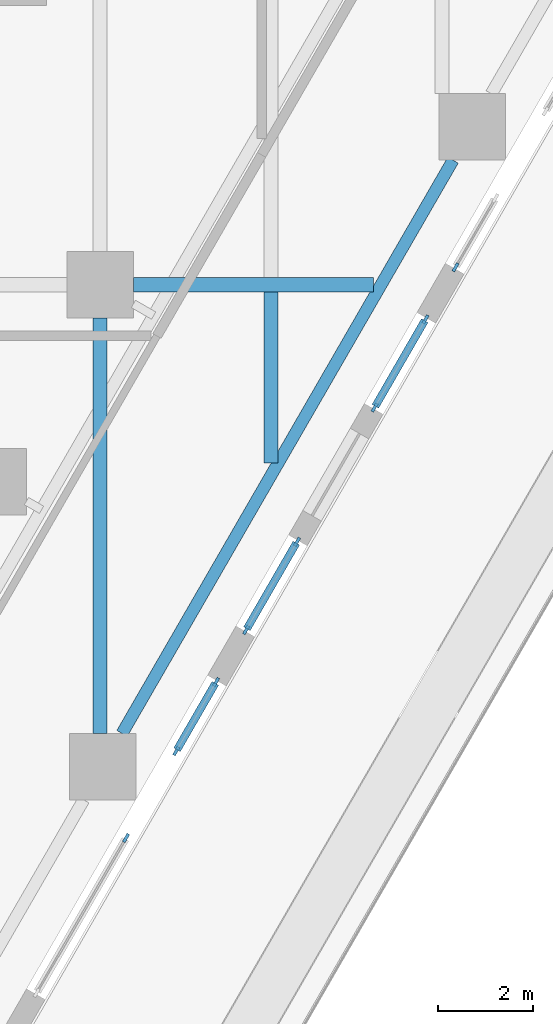
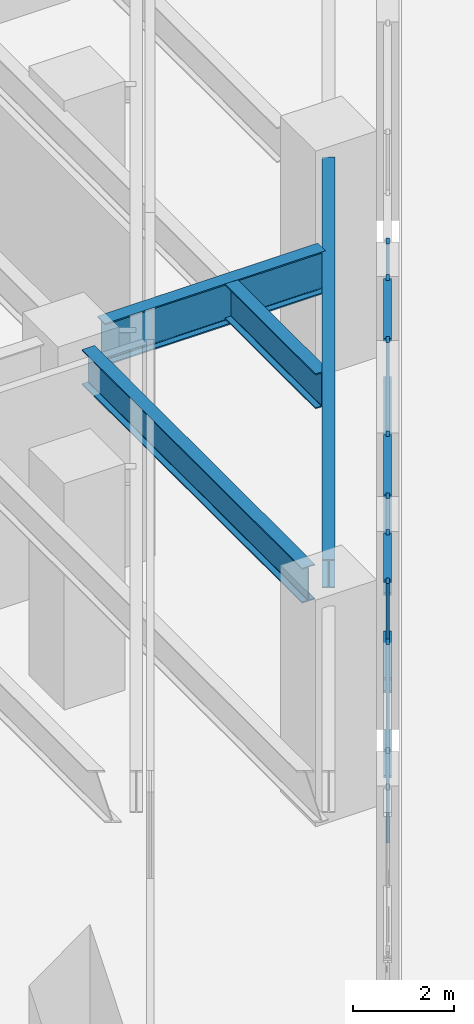
# One storey, part 8 of 30: 17 members, 4 beams, 5 elements without a shape of their own.
"""IFC4 building model written with IfcOpenShell, lengths in metres."""

from ifc_helpers import new_model, si_unit, direction, frame, origin, origin_2d, place, context, subcontext, project, spatial, rectangle, i_section, extrude, material, material_profile, profile_set, type_object, element, aggregate, save


model = new_model("IFC4")

# Units and contexts
model_context = context("Model", 3, precision=1e-05, world=origin(), true_north=direction((0.0, 1.0)))
body_context = subcontext(model_context, "Body", "Model", "MODEL_VIEW")
ifc_project = project(units=[si_unit("LENGTHUNIT", "METRE"), si_unit("AREAUNIT", "SQUARE_METRE"), si_unit("VOLUMEUNIT", "CUBIC_METRE"), si_unit("PLANEANGLEUNIT", "RADIAN"), si_unit("MASSUNIT", "GRAM", prefix="KILO")], contexts=[model_context])

# Site, building, storey
site_placement = place(None, origin())
site = spatial("IfcSite", under=ifc_project, at=site_placement, CompositionType="ELEMENT")
building_placement = place(site_placement, origin())
building = spatial("IfcBuilding", under=site, at=building_placement, Name="Aloe Facet Convention Tower", CompositionType="ELEMENT")
storey_placement = place(building_placement, frame((0.0, 0.0, 19.5)))
storey = spatial("IfcBuildingStorey", under=building, at=storey_placement, Name="L03", CompositionType="ELEMENT", Elevation=19.5)

# Curtain wall, member
ifc_material_1 = material(Name="Aluminium, anodised", Category="aluminium")
curtain_wall_type = type_object("IfcCurtainWallType", Name="EV-CW-HALL", PredefinedType="USERDEFINED", material=ifc_material_1)
curtain_wall_1_placement = place(storey_placement, origin())
curtain_wall_1 = element("IfcCurtainWall", 1, at=curtain_wall_1_placement, inside=storey, type_object=curtain_wall_type, Name="CW-L03-E08-1", ObjectType="UNITISED HALL GLAZING", PredefinedType="USERDEFINED")
ifc_material_2 = material(Name="Aluminium, anodised", Category="aluminium")
ifc_material_profile_1 = material_profile(ifc_material_2, rectangle(XDim=0.06494140625, YDim=0.199951171875, at=origin_2d()), Name="AL 65x200")
ifc_profile_set_1 = profile_set([ifc_material_profile_1], Name="Aluminium, anodised")
member_type_1 = type_object("IfcMemberType", Name="EV-MULL-HALL", PredefinedType="MULLION", material=ifc_profile_set_1)
member_1_placement = place(storey_placement, frame((98.545654296875, 87.34228515625, -0.25), z_axis=(0.0, 0.0, 1.0), x_axis=(-0.866025403767, 0.50000000003, 0.0)))
member_1 = element("IfcMember", 2, at=member_1_placement, type_object=member_type_1, Name="CW-L03-E08-1 mullion 2", PredefinedType="MULLION", context=body_context, shape_type="SweptSolid", body=[
    extrude(rectangle(XDim=0.06494140625, YDim=0.199951171875, at=origin_2d()), origin(), (0.0, 0.0, 1.0), 4.8125),
])
aggregate(curtain_wall_1, [member_1])

# Curtain wall, members
curtain_wall_2_placement = place(storey_placement, origin())
curtain_wall_2 = element("IfcCurtainWall", 3, at=curtain_wall_2_placement, inside=storey, type_object=curtain_wall_type, Name="CW-L03-E08-2", ObjectType="UNITISED HALL GLAZING", PredefinedType="USERDEFINED")
member_2_placement = place(storey_placement, frame((99.6025390625, 89.173095703125, -0.25), z_axis=(0.0, 0.0, 1.0), x_axis=(-0.866025403531, 0.500000000438, 0.0)))
member_2 = element("IfcMember", 4, at=member_2_placement, type_object=member_type_1, Name="CW-L03-E08-2 mullion 1", PredefinedType="MULLION", context=body_context, shape_type="SweptSolid", body=[
    extrude(rectangle(XDim=0.06494140625, YDim=0.199951171875, at=origin_2d()), origin(), (0.0, 0.0, 1.0), 4.8125),
])
member_3_placement = place(storey_placement, frame((100.4423828125, 90.6279296875, -0.25), z_axis=(0.0, 0.0, 1.0), x_axis=(-0.866025403531, 0.500000000438, 0.0)))
member_3 = element("IfcMember", 5, at=member_3_placement, type_object=member_type_1, Name="CW-L03-E08-2 mullion 2", PredefinedType="MULLION", context=body_context, shape_type="SweptSolid", body=[
    extrude(rectangle(XDim=0.06494140625, YDim=0.199951171875, at=origin_2d()), origin(), (0.0, 0.0, 1.0), 4.8125),
])

curtain_wall_3_placement = place(storey_placement, origin())
curtain_wall_3 = element("IfcCurtainWall", 6, at=curtain_wall_3_placement, inside=storey, type_object=curtain_wall_type, Name="CW-L03-E10A", ObjectType="UNITISED HALL GLAZING", PredefinedType="USERDEFINED")
member_4_placement = place(storey_placement, frame((101.074951171875, 91.723388671875, -0.25), z_axis=(0.0, 0.0, 1.0), x_axis=(-0.866025403767, 0.50000000003, 0.0)))
member_4 = element("IfcMember", 7, at=member_4_placement, type_object=member_type_1, Name="CW-L03-E10A mullion 1", PredefinedType="MULLION", context=body_context, shape_type="SweptSolid", body=[
    extrude(rectangle(XDim=0.06494140625, YDim=0.199951171875, at=origin_2d()), origin(), (0.0, 0.0, 1.0), 4.8125),
])
member_5_placement = place(storey_placement, frame((102.149169921875, 93.583984375, -0.25), z_axis=(0.0, 0.0, 1.0), x_axis=(-0.866025403767, 0.50000000003, 0.0)))
member_5 = element("IfcMember", 8, at=member_5_placement, type_object=member_type_1, Name="CW-L03-E10A mullion 2", PredefinedType="MULLION", context=body_context, shape_type="SweptSolid", body=[
    extrude(rectangle(XDim=0.06494140625, YDim=0.199951171875, at=origin_2d()), origin(), (0.0, 0.0, 1.0), 4.8125),
])

curtain_wall_4_placement = place(storey_placement, origin())
curtain_wall_4 = element("IfcCurtainWall", 9, at=curtain_wall_4_placement, inside=storey, type_object=curtain_wall_type, Name="CW-L03-E10B", ObjectType="UNITISED HALL GLAZING", PredefinedType="USERDEFINED")
member_6_placement = place(storey_placement, frame((103.78173828125, 96.41162109375, -0.25), z_axis=(0.0, 0.0, 1.0), x_axis=(-0.86602540388, 0.499999999834, 0.0)))
member_6 = element("IfcMember", 10, at=member_6_placement, type_object=member_type_1, Name="CW-L03-E10B mullion 1", PredefinedType="MULLION", context=body_context, shape_type="SweptSolid", body=[
    extrude(rectangle(XDim=0.06494140625, YDim=0.199951171875, at=origin_2d()), origin(), (0.0, 0.0, 1.0), 4.8125),
])
member_7_placement = place(storey_placement, frame((104.85595703125, 98.272216796875, -0.25), z_axis=(0.0, 0.0, 1.0), x_axis=(-0.86602540388, 0.499999999834, 0.0)))
member_7 = element("IfcMember", 11, at=member_7_placement, type_object=member_type_1, Name="CW-L03-E10B mullion 2", PredefinedType="MULLION", context=body_context, shape_type="SweptSolid", body=[
    extrude(rectangle(XDim=0.06494140625, YDim=0.199951171875, at=origin_2d()), origin(), (0.0, 0.0, 1.0), 4.8125),
])

# Curtain wall, member
curtain_wall_5_placement = place(storey_placement, origin())
curtain_wall_5 = element("IfcCurtainWall", 12, at=curtain_wall_5_placement, inside=storey, type_object=curtain_wall_type, Name="CW-L03-E12-1", ObjectType="UNITISED HALL GLAZING", PredefinedType="USERDEFINED")
member_8_placement = place(storey_placement, frame((105.48828125, 99.36767578125, -0.25), z_axis=(0.0, 0.0, 1.0), x_axis=(-0.866025403846, 0.499999999894, 0.0)))
member_8 = element("IfcMember", 13, at=member_8_placement, type_object=member_type_1, Name="CW-L03-E12-1 mullion 1", PredefinedType="MULLION", context=body_context, shape_type="SweptSolid", body=[
    extrude(rectangle(XDim=0.06494140625, YDim=0.199951171875, at=origin_2d()), origin(), (0.0, 0.0, 1.0), 4.8125),
])
aggregate(curtain_wall_5, [member_8])

# Member
ifc_material_3 = material(Name="Aluminium, anodised", Category="aluminium")
ifc_material_profile_2 = material_profile(ifc_material_3, rectangle(XDim=0.159912109375, YDim=0.06494140625, at=origin_2d()), Name="AL 160x65")
ifc_profile_set_2 = profile_set([ifc_material_profile_2], Name="Aluminium, anodised")
member_type_2 = type_object("IfcMemberType", Name="EV-TRAN-HALL", PredefinedType="USERDEFINED", material=ifc_profile_set_2)
member_9_placement = place(storey_placement, frame((99.618896484375, 89.201416015625, -0.217529296875), z_axis=(0.49999293077, 0.866029485168, 0.0), x_axis=(-0.866029485168, 0.49999293077, 0.0)))
member_9 = element("IfcMember", 14, at=member_9_placement, type_object=member_type_2, Name="CW-L03-E08-2 transom 1.1", ObjectType="TRANSOM", PredefinedType="USERDEFINED", context=body_context, shape_type="SweptSolid", body=[
    extrude(rectangle(XDim=0.159912109375, YDim=0.06494140625, at=origin_2d()), origin(), (0.0, 0.0, 1.0), 1.61474609375),
])

member_10_placement = place(storey_placement, frame((99.618896484375, 89.201416015625, 2.15625), z_axis=(0.49999293077, 0.866029485168, 0.0), x_axis=(-0.866029485168, 0.49999293077, 0.0)))
member_10 = element("IfcMember", 15, at=member_10_placement, type_object=member_type_2, Name="CW-L03-E08-2 transom 1.2", ObjectType="TRANSOM", PredefinedType="USERDEFINED", context=body_context, shape_type="SweptSolid", body=[
    extrude(rectangle(XDim=0.159912109375, YDim=0.06494140625, at=origin_2d()), origin(), (0.0, 0.0, 1.0), 1.61474609375),
])

member_11_placement = place(storey_placement, frame((99.618896484375, 89.201416015625, 4.530029296875), z_axis=(0.49999293077, 0.866029485168, 0.0), x_axis=(-0.866029485168, 0.49999293077, 0.0)))
member_11 = element("IfcMember", 16, at=member_11_placement, type_object=member_type_2, Name="CW-L03-E08-2 transom 1.3", ObjectType="TRANSOM", PredefinedType="USERDEFINED", context=body_context, shape_type="SweptSolid", body=[
    extrude(rectangle(XDim=0.159912109375, YDim=0.06494140625, at=origin_2d()), origin(), (0.0, 0.0, 1.0), 1.61474609375),
])

aggregate(curtain_wall_2, [member_2, member_3, member_9, member_10, member_11])

member_12_placement = place(storey_placement, frame((101.09130859375, 91.75146484375, -0.217529296875), z_axis=(0.499894898901, 0.866086075429, 0.0), x_axis=(-0.866086075429, 0.499894898901, 0.0)))
member_12 = element("IfcMember", 17, at=member_12_placement, type_object=member_type_2, Name="CW-L03-E10A transom 1.1", ObjectType="TRANSOM", PredefinedType="USERDEFINED", context=body_context, shape_type="SweptSolid", body=[
    extrude(rectangle(XDim=0.159912109375, YDim=0.06494140625, at=origin_2d()), origin(), (0.0, 0.0, 1.0), 2.08349609375),
])

member_13_placement = place(storey_placement, frame((101.09130859375, 91.75146484375, 2.15625), z_axis=(0.499894898901, 0.866086075429, 0.0), x_axis=(-0.866086075429, 0.499894898901, 0.0)))
member_13 = element("IfcMember", 18, at=member_13_placement, type_object=member_type_2, Name="CW-L03-E10A transom 1.2", ObjectType="TRANSOM", PredefinedType="USERDEFINED", context=body_context, shape_type="SweptSolid", body=[
    extrude(rectangle(XDim=0.159912109375, YDim=0.06494140625, at=origin_2d()), origin(), (0.0, 0.0, 1.0), 2.08349609375),
])

member_14_placement = place(storey_placement, frame((101.09130859375, 91.75146484375, 4.530029296875), z_axis=(0.499894898901, 0.866086075429, 0.0), x_axis=(-0.866086075429, 0.499894898901, 0.0)))
member_14 = element("IfcMember", 19, at=member_14_placement, type_object=member_type_2, Name="CW-L03-E10A transom 1.3", ObjectType="TRANSOM", PredefinedType="USERDEFINED", context=body_context, shape_type="SweptSolid", body=[
    extrude(rectangle(XDim=0.159912109375, YDim=0.06494140625, at=origin_2d()), origin(), (0.0, 0.0, 1.0), 2.08349609375),
])

aggregate(curtain_wall_3, [member_4, member_5, member_12, member_13, member_14])

member_15_placement = place(storey_placement, frame((103.7978515625, 96.439697265625, -0.217529296875), z_axis=(0.500033530467, 0.866006044095, 0.0), x_axis=(-0.866006044095, 0.500033530467, 0.0)))
member_15 = element("IfcMember", 20, at=member_15_placement, type_object=member_type_2, Name="CW-L03-E10B transom 1.1", ObjectType="TRANSOM", PredefinedType="USERDEFINED", context=body_context, shape_type="SweptSolid", body=[
    extrude(rectangle(XDim=0.159912109375, YDim=0.06494140625, at=origin_2d()), origin(), (0.0, 0.0, 1.0), 2.083251953125),
])

member_16_placement = place(storey_placement, frame((103.7978515625, 96.439697265625, 2.15625), z_axis=(0.500033530467, 0.866006044095, 0.0), x_axis=(-0.866006044095, 0.500033530467, 0.0)))
member_16 = element("IfcMember", 21, at=member_16_placement, type_object=member_type_2, Name="CW-L03-E10B transom 1.2", ObjectType="TRANSOM", PredefinedType="USERDEFINED", context=body_context, shape_type="SweptSolid", body=[
    extrude(rectangle(XDim=0.159912109375, YDim=0.06494140625, at=origin_2d()), origin(), (0.0, 0.0, 1.0), 2.083251953125),
])

member_17_placement = place(storey_placement, frame((103.7978515625, 96.439697265625, 4.530029296875), z_axis=(0.500033530467, 0.866006044095, 0.0), x_axis=(-0.866006044095, 0.500033530467, 0.0)))
member_17 = element("IfcMember", 22, at=member_17_placement, type_object=member_type_2, Name="CW-L03-E10B transom 1.3", ObjectType="TRANSOM", PredefinedType="USERDEFINED", context=body_context, shape_type="SweptSolid", body=[
    extrude(rectangle(XDim=0.159912109375, YDim=0.06494140625, at=origin_2d()), origin(), (0.0, 0.0, 1.0), 2.083251953125),
])

aggregate(curtain_wall_4, [member_6, member_7, member_15, member_16, member_17])

# Beams
ifc_material_4 = material(Name="Steel S355", Category="steel")
ifc_material_profile_3 = material_profile(ifc_material_4, i_section(OverallWidth=0.305419921875, OverallDepth=1.02587890625, WebThickness=0.02001953125, FlangeThickness=0.031005859375, FilletRadius=0.030029296875, at=origin_2d()), Name="UB 1016x305x349")
ifc_profile_set_3 = profile_set([ifc_material_profile_3], Name="Steel S355")
beam_type_1 = type_object("IfcBeamType", Name="SF-B-UB1016x305x349", PredefinedType="BEAM", material=ifc_profile_set_3)
beam_1_placement = place(storey_placement, frame((98.699951171875, 99.0, 4.737060546875), z_axis=(1.0, 0.0, 0.0), x_axis=(0.0, 1.0, 0.0)))
element("IfcBeam", 23, at=beam_1_placement, inside=storey, type_object=beam_type_1, Name="Floor beam FB-L04-032", PredefinedType="BEAM", context=body_context, shape_type="SweptSolid", body=[
    extrude(i_section(OverallWidth=0.305419921875, OverallDepth=1.02587890625, WebThickness=0.02001953125, FlangeThickness=0.031005859375, FilletRadius=0.030029296875, at=origin_2d()), origin(), (0.0, 0.0, 1.0), 5.0625),
])
ifc_material_5 = material(Name="Steel S355", Category="steel")
ifc_material_profile_4 = material_profile(ifc_material_5, i_section(OverallWidth=0.25439453125, OverallDepth=0.6875, WebThickness=0.01318359375, FlangeThickness=0.02099609375, FilletRadius=0.01513671875, at=origin_2d()), Name="UB 686x254x152")
ifc_profile_set_4 = profile_set([ifc_material_profile_4], Name="Steel S355")
beam_type_2 = type_object("IfcBeamType", Name="SF-B-UB686x254x152", PredefinedType="BEAM", material=ifc_profile_set_4)
beam_2_placement = place(storey_placement, frame((105.434814453125, 101.625, 4.90625), z_axis=(-0.499996175863, -0.86602761164, 0.0), x_axis=(0.86602761164, -0.499996175863, 0.0)))
element("IfcBeam", 24, at=beam_2_placement, inside=storey, type_object=beam_type_2, Name="Floor beam FB-L04-015", PredefinedType="BEAM", context=body_context, shape_type="SweptSolid", body=[
    extrude(i_section(OverallWidth=0.25439453125, OverallDepth=0.6875, WebThickness=0.01318359375, FlangeThickness=0.02099609375, FilletRadius=0.01513671875, at=origin_2d()), origin(), (0.0, 0.0, 1.0), 13.94873046875),
])
ifc_material_6 = material(Name="Steel S355", Category="steel")
ifc_material_profile_5 = material_profile(ifc_material_6, i_section(OverallWidth=0.293701171875, OverallDepth=0.850830078125, WebThickness=0.01611328125, FlangeThickness=0.02685546875, FilletRadius=0.017822265625, at=origin_2d()), Name="UB 838x292x226")
ifc_profile_set_5 = profile_set([ifc_material_profile_5], Name="Steel S355")
beam_type_3 = type_object("IfcBeamType", Name="SF-B-UB838x292x226", PredefinedType="BEAM", material=ifc_profile_set_5)
beam_3_placement = place(storey_placement, frame((98.0, 89.544921875, 4.824462890625), z_axis=(0.0, 1.0, 0.0), x_axis=(-1.0, 0.0, 0.0)))
element("IfcBeam", 25, at=beam_3_placement, inside=storey, type_object=beam_type_3, Name="Floor beam FB-L04-091", PredefinedType="BEAM", context=body_context, shape_type="SweptSolid", body=[
    extrude(i_section(OverallWidth=0.293701171875, OverallDepth=0.850830078125, WebThickness=0.01611328125, FlangeThickness=0.02685546875, FilletRadius=0.017822265625, at=origin_2d()), origin(), (0.0, 0.0, 1.0), 8.755126953125),
])
beam_4_placement = place(storey_placement, frame((101.60009765625, 95.247314453125, 4.824462890625), z_axis=(0.0, 1.0, 0.0), x_axis=(-1.0, 0.0, 0.0)))
element("IfcBeam", 26, at=beam_4_placement, inside=storey, type_object=beam_type_3, Name="Floor beam FB-L04-094", PredefinedType="BEAM", context=body_context, shape_type="SweptSolid", body=[
    extrude(i_section(OverallWidth=0.293701171875, OverallDepth=0.850830078125, WebThickness=0.01611328125, FlangeThickness=0.02685546875, FilletRadius=0.017822265625, at=origin_2d()), origin(), (0.0, 0.0, 1.0), 3.60009765625),
])

save(model, "model.ifc")
